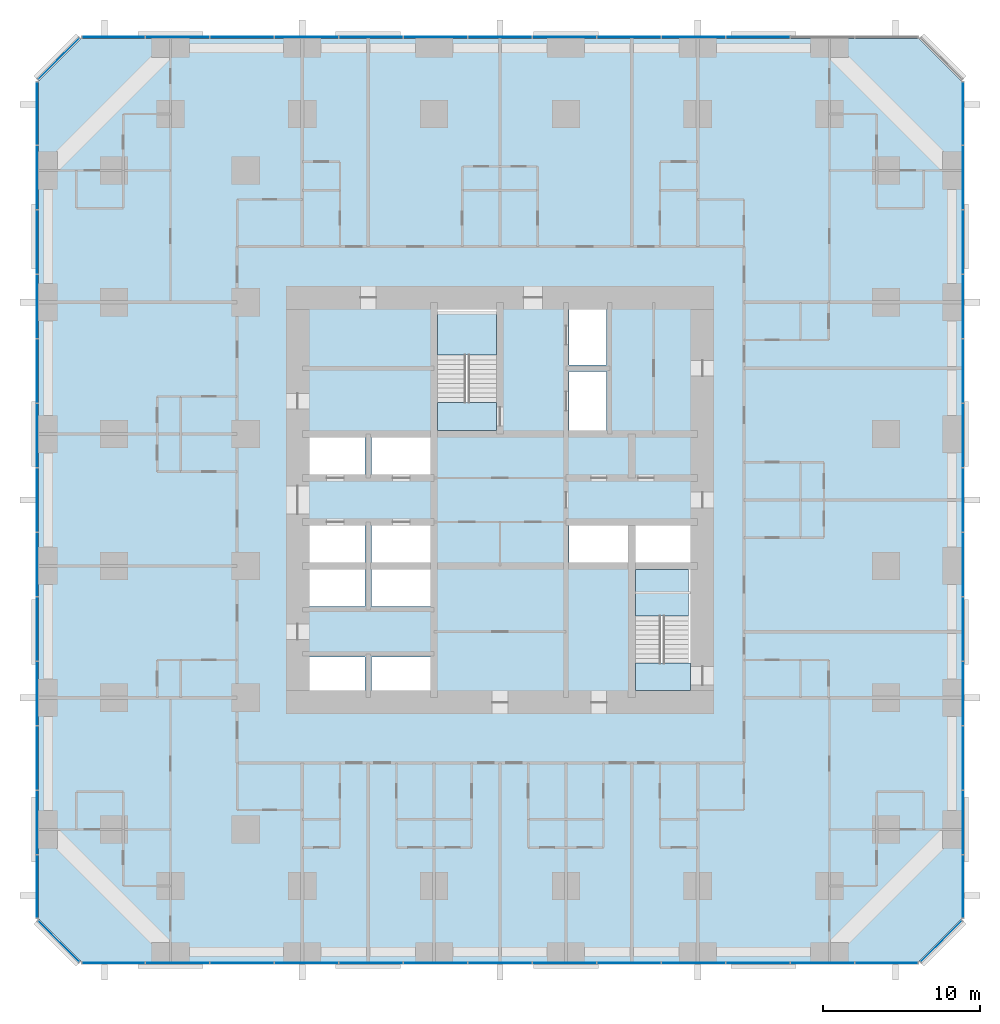
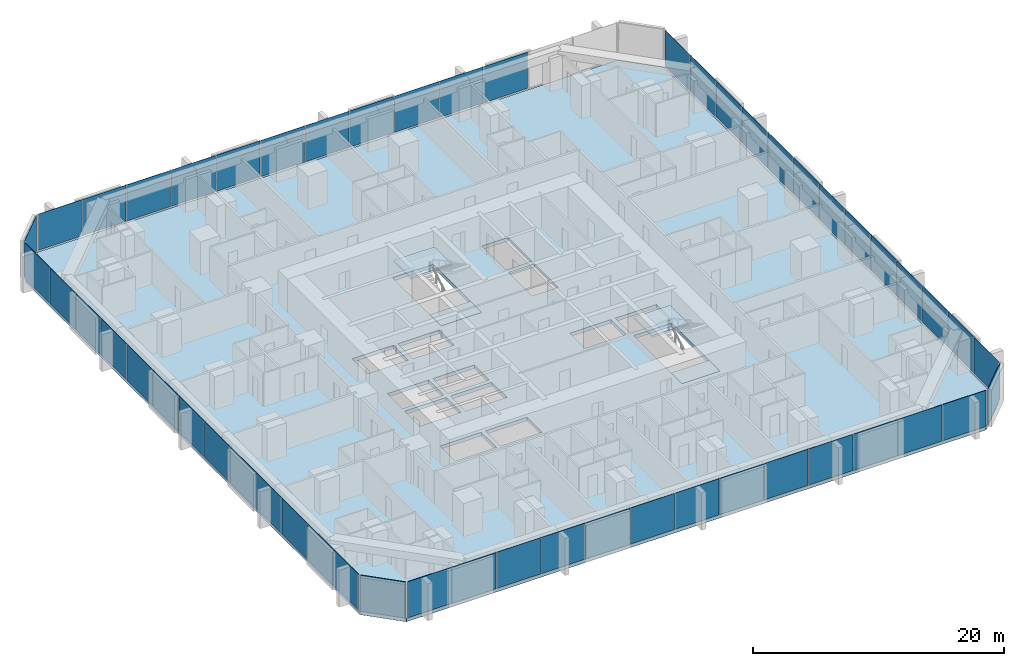
# One storey, part 9 of 17: 53 plates, 5 slabs, 9 elements without a shape of their own.
"""IFC4 building model written with IfcOpenShell, lengths in metres."""

from ifc_helpers import new_model, si_unit, direction, frame, origin, origin_2d, place, context, subcontext, project, spatial, polyline, rectangle, outline, extrude, material, layer, layer_set, type_object, element, aggregate, save


model = new_model("IFC4")

# Units and contexts
model_context = context("Model", 3, precision=1e-05, world=origin(), true_north=direction((0.0, 1.0)))
body_context = subcontext(model_context, "Body", "Model", "MODEL_VIEW")
ifc_project = project(units=[si_unit("LENGTHUNIT", "METRE"), si_unit("AREAUNIT", "SQUARE_METRE"), si_unit("VOLUMEUNIT", "CUBIC_METRE"), si_unit("PLANEANGLEUNIT", "RADIAN"), si_unit("MASSUNIT", "GRAM", prefix="KILO")], contexts=[model_context])

# Site, building, storey
site_placement = place(None, origin())
site = spatial("IfcSite", under=ifc_project, at=site_placement, CompositionType="ELEMENT")
building_placement = place(site_placement, origin())
building = spatial("IfcBuilding", under=site, at=building_placement, Name="Dunama Terrace Hotel", CompositionType="ELEMENT")
storey_placement = place(building_placement, frame((0.0, 0.0, 77.39990234375)))
storey = spatial("IfcBuildingStorey", under=building, at=storey_placement, Name="L19", CompositionType="ELEMENT", Elevation=77.39990234375)

# Curtain wall, plates
ifc_material_1 = material(Name="Aluminium curtain wall system", Category="aluminium")
curtain_wall_type = type_object("IfcCurtainWallType", Name="Unitised fritted glass wall CW-A", PredefinedType="NOTDEFINED", material=ifc_material_1)
curtain_wall_1_placement = place(storey_placement, origin())
curtain_wall_1 = element("IfcCurtainWall", 1, at=curtain_wall_1_placement, inside=storey, type_object=curtain_wall_type, Name="Unitised fritted glass wall CW-A L19", PredefinedType="NOTDEFINED")
ifc_material_2 = material(Name="Laminated glass", Category="glass")
ifc_layer_1 = layer(ifc_material_2, 0.030029296875)
ifc_layer_set_1 = layer_set([ifc_layer_1], Name="CWA clear glass panel")
plate_type_1 = type_object("IfcPlateType", Name="CWA clear glass panel", PredefinedType="CURTAIN_PANEL", material=ifc_layer_set_1)
plate_1_placement = place(storey_placement, frame((12.968994140625, -0.10009765625, 0.0751953125), z_axis=(0.0, 0.0, 1.0), x_axis=(1.0, 0.0, 0.0)))
plate_1 = element("IfcPlate", 2, at=plate_1_placement, type_object=plate_type_1, Name="CWA clear glass panel", PredefinedType="CURTAIN_PANEL", context=body_context, shape_type="SweptSolid", body=[
    extrude(rectangle(XDim=4.042724609375, YDim=0.030029296875, at=origin_2d()), origin(), (0.0, 0.0, 1.0), 3.52490234375),
])
plate_2_placement = place(storey_placement, frame((25.2919921875, -0.10009765625, 0.0751953125), z_axis=(0.0, 0.0, 1.0), x_axis=(1.0, 0.0, 0.0)))
plate_2 = element("IfcPlate", 3, at=plate_2_placement, type_object=plate_type_1, Name="CWA clear glass panel", PredefinedType="CURTAIN_PANEL", context=body_context, shape_type="SweptSolid", body=[
    extrude(rectangle(XDim=4.042724609375, YDim=0.030029296875, at=origin_2d()), origin(), (0.0, 0.0, 1.0), 3.52490234375),
])
plate_3_placement = place(storey_placement, frame((37.614990234375, -0.10009765625, 0.0751953125), z_axis=(0.0, 0.0, 1.0), x_axis=(1.0, 0.0, 0.0)))
plate_3 = element("IfcPlate", 4, at=plate_3_placement, type_object=plate_type_1, Name="CWA clear glass panel", PredefinedType="CURTAIN_PANEL", context=body_context, shape_type="SweptSolid", body=[
    extrude(rectangle(XDim=4.042724609375, YDim=0.030029296875, at=origin_2d()), origin(), (0.0, 0.0, 1.0), 3.52490234375),
])
plate_4_placement = place(storey_placement, frame((49.93798828125, -0.10009765625, 0.0751953125), z_axis=(0.0, 0.0, 1.0), x_axis=(1.0, 0.0, 0.0)))
plate_4 = element("IfcPlate", 5, at=plate_4_placement, type_object=plate_type_1, Name="CWA clear glass panel", PredefinedType="CURTAIN_PANEL", context=body_context, shape_type="SweptSolid", body=[
    extrude(rectangle(XDim=4.042724609375, YDim=0.030029296875, at=origin_2d()), origin(), (0.0, 0.0, 1.0), 3.52490234375),
])

curtain_wall_2_placement = place(storey_placement, origin())
curtain_wall_2 = element("IfcCurtainWall", 6, at=curtain_wall_2_placement, inside=storey, type_object=curtain_wall_type, Name="Unitised fritted glass wall CW-A L19", PredefinedType="NOTDEFINED")
plate_5_placement = place(storey_placement, frame((58.89990234375, 4.77001953125, 0.0751953125), z_axis=(0.0, 0.0, 1.0), x_axis=(0.0, 1.0, 0.0)))
plate_5 = element("IfcPlate", 7, at=plate_5_placement, type_object=plate_type_1, Name="CWA clear glass panel", PredefinedType="CURTAIN_PANEL", context=body_context, shape_type="SweptSolid", body=[
    extrude(rectangle(XDim=4.01025390625, YDim=0.030029296875, at=origin_2d()), origin(), (0.0, 0.0, 1.0), 3.52490234375),
])
plate_6_placement = place(storey_placement, frame((58.89990234375, 17.076904296875, 0.0751953125), z_axis=(0.0, 0.0, 1.0), x_axis=(0.0, 1.0, 0.0)))
plate_6 = element("IfcPlate", 8, at=plate_6_placement, type_object=plate_type_1, Name="CWA clear glass panel", PredefinedType="CURTAIN_PANEL", context=body_context, shape_type="SweptSolid", body=[
    extrude(rectangle(XDim=4.042724609375, YDim=0.030029296875, at=origin_2d()), origin(), (0.0, 0.0, 1.0), 3.52490234375),
])
plate_7_placement = place(storey_placement, frame((58.89990234375, 29.39990234375, 0.0751953125), z_axis=(0.0, 0.0, 1.0), x_axis=(0.0, 1.0, 0.0)))
plate_7 = element("IfcPlate", 9, at=plate_7_placement, type_object=plate_type_1, Name="CWA clear glass panel", PredefinedType="CURTAIN_PANEL", context=body_context, shape_type="SweptSolid", body=[
    extrude(rectangle(XDim=4.042724609375, YDim=0.030029296875, at=origin_2d()), origin(), (0.0, 0.0, 1.0), 3.52490234375),
])
plate_8_placement = place(storey_placement, frame((58.89990234375, 41.722900390625, 0.0751953125), z_axis=(0.0, 0.0, 1.0), x_axis=(0.0, 1.0, 0.0)))
plate_8 = element("IfcPlate", 10, at=plate_8_placement, type_object=plate_type_1, Name="CWA clear glass panel", PredefinedType="CURTAIN_PANEL", context=body_context, shape_type="SweptSolid", body=[
    extrude(rectangle(XDim=4.042724609375, YDim=0.030029296875, at=origin_2d()), origin(), (0.0, 0.0, 1.0), 3.52490234375),
])
plate_9_placement = place(storey_placement, frame((58.89990234375, 54.030029296875, 0.0751953125), z_axis=(0.0, 0.0, 1.0), x_axis=(0.0, 1.0, 0.0)))
plate_9 = element("IfcPlate", 11, at=plate_9_placement, type_object=plate_type_1, Name="CWA clear glass panel", PredefinedType="CURTAIN_PANEL", context=body_context, shape_type="SweptSolid", body=[
    extrude(rectangle(XDim=4.01025390625, YDim=0.030029296875, at=origin_2d()), origin(), (0.0, 0.0, 1.0), 3.52490234375),
])

curtain_wall_3_placement = place(storey_placement, origin())
curtain_wall_3 = element("IfcCurtainWall", 12, at=curtain_wall_3_placement, inside=storey, type_object=curtain_wall_type, Name="Unitised fritted glass wall CW-A L19", PredefinedType="NOTDEFINED")
plate_10_placement = place(storey_placement, frame((37.614990234375, 58.89990234375, 0.0751953125), z_axis=(0.0, 0.0, 1.0), x_axis=(-1.0, 0.0, 0.0)))
plate_10 = element("IfcPlate", 13, at=plate_10_placement, type_object=plate_type_1, Name="CWA clear glass panel", PredefinedType="CURTAIN_PANEL", context=body_context, shape_type="SweptSolid", body=[
    extrude(rectangle(XDim=4.042724609375, YDim=0.030029296875, at=origin_2d()), origin(), (0.0, 0.0, 1.0), 3.52490234375),
])
plate_11_placement = place(storey_placement, frame((25.2919921875, 58.89990234375, 0.0751953125), z_axis=(0.0, 0.0, 1.0), x_axis=(-1.0, 0.0, 0.0)))
plate_11 = element("IfcPlate", 14, at=plate_11_placement, type_object=plate_type_1, Name="CWA clear glass panel", PredefinedType="CURTAIN_PANEL", context=body_context, shape_type="SweptSolid", body=[
    extrude(rectangle(XDim=4.042724609375, YDim=0.030029296875, at=origin_2d()), origin(), (0.0, 0.0, 1.0), 3.52490234375),
])
plate_12_placement = place(storey_placement, frame((12.968994140625, 58.89990234375, 0.0751953125), z_axis=(0.0, 0.0, 1.0), x_axis=(-1.0, 0.0, 0.0)))
plate_12 = element("IfcPlate", 15, at=plate_12_placement, type_object=plate_type_1, Name="CWA clear glass panel", PredefinedType="CURTAIN_PANEL", context=body_context, shape_type="SweptSolid", body=[
    extrude(rectangle(XDim=4.042724609375, YDim=0.030029296875, at=origin_2d()), origin(), (0.0, 0.0, 1.0), 3.52490234375),
])

# Curtain wall, plate
curtain_wall_4_placement = place(storey_placement, origin())
curtain_wall_4 = element("IfcCurtainWall", 16, at=curtain_wall_4_placement, inside=storey, type_object=curtain_wall_type, Name="Unitised fritted glass wall CW-A L19", PredefinedType="NOTDEFINED")
plate_13_placement = place(storey_placement, frame((1.279052734375, 57.52099609375, 0.0751953125), z_axis=(0.0, 0.0, 1.0), x_axis=(-0.707106781187, -0.707106781187, 0.0)))
plate_13 = element("IfcPlate", 17, at=plate_13_placement, type_object=plate_type_1, Name="CWA clear glass panel", PredefinedType="CURTAIN_PANEL", context=body_context, shape_type="SweptSolid", body=[
    extrude(rectangle(XDim=3.6884765625, YDim=0.030029296875, at=origin_2d()), origin(), (0.0, 0.0, 1.0), 3.52490234375),
])
aggregate(curtain_wall_4, [plate_13])

# Curtain wall, plates
curtain_wall_5_placement = place(storey_placement, origin())
curtain_wall_5 = element("IfcCurtainWall", 18, at=curtain_wall_5_placement, inside=storey, type_object=curtain_wall_type, Name="Unitised fritted glass wall CW-A L19", PredefinedType="NOTDEFINED")
plate_14_placement = place(storey_placement, frame((-0.10009765625, 45.8310546875, 0.0751953125), z_axis=(0.0, 0.0, 1.0), x_axis=(0.0, -1.0, 0.0)))
plate_14 = element("IfcPlate", 19, at=plate_14_placement, type_object=plate_type_1, Name="CWA clear glass panel", PredefinedType="CURTAIN_PANEL", context=body_context, shape_type="SweptSolid", body=[
    extrude(rectangle(XDim=4.042724609375, YDim=0.030029296875, at=origin_2d()), origin(), (0.0, 0.0, 1.0), 3.52490234375),
])
plate_15_placement = place(storey_placement, frame((-0.10009765625, 33.508056640625, 0.0751953125), z_axis=(0.0, 0.0, 1.0), x_axis=(0.0, -1.0, 0.0)))
plate_15 = element("IfcPlate", 20, at=plate_15_placement, type_object=plate_type_1, Name="CWA clear glass panel", PredefinedType="CURTAIN_PANEL", context=body_context, shape_type="SweptSolid", body=[
    extrude(rectangle(XDim=4.042724609375, YDim=0.030029296875, at=origin_2d()), origin(), (0.0, 0.0, 1.0), 3.52490234375),
])
plate_16_placement = place(storey_placement, frame((-0.10009765625, 21.18505859375, 0.0751953125), z_axis=(0.0, 0.0, 1.0), x_axis=(0.0, -1.0, 0.0)))
plate_16 = element("IfcPlate", 21, at=plate_16_placement, type_object=plate_type_1, Name="CWA clear glass panel", PredefinedType="CURTAIN_PANEL", context=body_context, shape_type="SweptSolid", body=[
    extrude(rectangle(XDim=4.042724609375, YDim=0.030029296875, at=origin_2d()), origin(), (0.0, 0.0, 1.0), 3.52490234375),
])
plate_17_placement = place(storey_placement, frame((-0.10009765625, 8.862060546875, 0.0751953125), z_axis=(0.0, 0.0, 1.0), x_axis=(0.0, -1.0, 0.0)))
plate_17 = element("IfcPlate", 22, at=plate_17_placement, type_object=plate_type_1, Name="CWA clear glass panel", PredefinedType="CURTAIN_PANEL", context=body_context, shape_type="SweptSolid", body=[
    extrude(rectangle(XDim=4.042724609375, YDim=0.030029296875, at=origin_2d()), origin(), (0.0, 0.0, 1.0), 3.52490234375),
])

# Plate
ifc_material_3 = material(Name="Fritted laminated glass", Category="glass")
ifc_layer_2 = layer(ifc_material_3, 0.030029296875)
ifc_layer_set_2 = layer_set([ifc_layer_2], Name="CWA fritted glass panel")
plate_type_2 = type_object("IfcPlateType", Name="CWA fritted glass panel", PredefinedType="CURTAIN_PANEL", material=ifc_layer_set_2)
plate_18_placement = place(storey_placement, frame((8.862060546875, -0.10009765625, 0.0751953125), z_axis=(0.0, 0.0, 1.0), x_axis=(1.0, 0.0, 0.0)))
plate_18 = element("IfcPlate", 23, at=plate_18_placement, type_object=plate_type_2, Name="CWA fritted glass panel", PredefinedType="CURTAIN_PANEL", context=body_context, shape_type="SweptSolid", body=[
    extrude(rectangle(XDim=4.042724609375, YDim=0.030029296875, at=origin_2d()), origin(), (0.0, 0.0, 1.0), 3.52490234375),
])

plate_19_placement = place(storey_placement, frame((21.18505859375, -0.10009765625, 0.0751953125), z_axis=(0.0, 0.0, 1.0), x_axis=(1.0, 0.0, 0.0)))
plate_19 = element("IfcPlate", 24, at=plate_19_placement, type_object=plate_type_2, Name="CWA fritted glass panel", PredefinedType="CURTAIN_PANEL", context=body_context, shape_type="SweptSolid", body=[
    extrude(rectangle(XDim=4.042724609375, YDim=0.030029296875, at=origin_2d()), origin(), (0.0, 0.0, 1.0), 3.52490234375),
])

plate_20_placement = place(storey_placement, frame((33.508056640625, -0.10009765625, 0.0751953125), z_axis=(0.0, 0.0, 1.0), x_axis=(1.0, 0.0, 0.0)))
plate_20 = element("IfcPlate", 25, at=plate_20_placement, type_object=plate_type_2, Name="CWA fritted glass panel", PredefinedType="CURTAIN_PANEL", context=body_context, shape_type="SweptSolid", body=[
    extrude(rectangle(XDim=4.042724609375, YDim=0.030029296875, at=origin_2d()), origin(), (0.0, 0.0, 1.0), 3.52490234375),
])

plate_21_placement = place(storey_placement, frame((45.8310546875, -0.10009765625, 0.0751953125), z_axis=(0.0, 0.0, 1.0), x_axis=(1.0, 0.0, 0.0)))
plate_21 = element("IfcPlate", 26, at=plate_21_placement, type_object=plate_type_2, Name="CWA fritted glass panel", PredefinedType="CURTAIN_PANEL", context=body_context, shape_type="SweptSolid", body=[
    extrude(rectangle(XDim=4.042724609375, YDim=0.030029296875, at=origin_2d()), origin(), (0.0, 0.0, 1.0), 3.52490234375),
])

# Curtain wall, plate
curtain_wall_6_placement = place(storey_placement, origin())
curtain_wall_6 = element("IfcCurtainWall", 27, at=curtain_wall_6_placement, inside=storey, type_object=curtain_wall_type, Name="Unitised fritted glass wall CW-A L19", PredefinedType="NOTDEFINED")
plate_22_placement = place(storey_placement, frame((57.52099609375, 1.279052734375, 0.0751953125), z_axis=(0.0, 0.0, 1.0), x_axis=(0.707106781187, 0.707106781187, 0.0)))
plate_22 = element("IfcPlate", 28, at=plate_22_placement, type_object=plate_type_2, Name="CWA fritted glass panel", PredefinedType="CURTAIN_PANEL", context=body_context, shape_type="SweptSolid", body=[
    extrude(rectangle(XDim=3.6884765625, YDim=0.030029296875, at=origin_2d()), origin(), (0.0, 0.0, 1.0), 3.52490234375),
])
aggregate(curtain_wall_6, [plate_22])

# Plate
plate_23_placement = place(storey_placement, frame((58.89990234375, 12.968994140625, 0.0751953125), z_axis=(0.0, 0.0, 1.0), x_axis=(0.0, 1.0, 0.0)))
plate_23 = element("IfcPlate", 29, at=plate_23_placement, type_object=plate_type_2, Name="CWA fritted glass panel", PredefinedType="CURTAIN_PANEL", context=body_context, shape_type="SweptSolid", body=[
    extrude(rectangle(XDim=4.042724609375, YDim=0.030029296875, at=origin_2d()), origin(), (0.0, 0.0, 1.0), 3.52490234375),
])

plate_24_placement = place(storey_placement, frame((58.89990234375, 25.2919921875, 0.0751953125), z_axis=(0.0, 0.0, 1.0), x_axis=(0.0, 1.0, 0.0)))
plate_24 = element("IfcPlate", 30, at=plate_24_placement, type_object=plate_type_2, Name="CWA fritted glass panel", PredefinedType="CURTAIN_PANEL", context=body_context, shape_type="SweptSolid", body=[
    extrude(rectangle(XDim=4.042724609375, YDim=0.030029296875, at=origin_2d()), origin(), (0.0, 0.0, 1.0), 3.52490234375),
])

plate_25_placement = place(storey_placement, frame((58.89990234375, 37.614990234375, 0.0751953125), z_axis=(0.0, 0.0, 1.0), x_axis=(0.0, 1.0, 0.0)))
plate_25 = element("IfcPlate", 31, at=plate_25_placement, type_object=plate_type_2, Name="CWA fritted glass panel", PredefinedType="CURTAIN_PANEL", context=body_context, shape_type="SweptSolid", body=[
    extrude(rectangle(XDim=4.042724609375, YDim=0.030029296875, at=origin_2d()), origin(), (0.0, 0.0, 1.0), 3.52490234375),
])

plate_26_placement = place(storey_placement, frame((58.89990234375, 49.93798828125, 0.0751953125), z_axis=(0.0, 0.0, 1.0), x_axis=(0.0, 1.0, 0.0)))
plate_26 = element("IfcPlate", 32, at=plate_26_placement, type_object=plate_type_2, Name="CWA fritted glass panel", PredefinedType="CURTAIN_PANEL", context=body_context, shape_type="SweptSolid", body=[
    extrude(rectangle(XDim=4.042724609375, YDim=0.030029296875, at=origin_2d()), origin(), (0.0, 0.0, 1.0), 3.52490234375),
])

plate_27_placement = place(storey_placement, frame((41.722900390625, 58.89990234375, 0.0751953125), z_axis=(0.0, 0.0, 1.0), x_axis=(-1.0, 0.0, 0.0)))
plate_27 = element("IfcPlate", 33, at=plate_27_placement, type_object=plate_type_2, Name="CWA fritted glass panel", PredefinedType="CURTAIN_PANEL", context=body_context, shape_type="SweptSolid", body=[
    extrude(rectangle(XDim=4.042724609375, YDim=0.030029296875, at=origin_2d()), origin(), (0.0, 0.0, 1.0), 3.52490234375),
])

plate_28_placement = place(storey_placement, frame((29.39990234375, 58.89990234375, 0.0751953125), z_axis=(0.0, 0.0, 1.0), x_axis=(-1.0, 0.0, 0.0)))
plate_28 = element("IfcPlate", 34, at=plate_28_placement, type_object=plate_type_2, Name="CWA fritted glass panel", PredefinedType="CURTAIN_PANEL", context=body_context, shape_type="SweptSolid", body=[
    extrude(rectangle(XDim=4.042724609375, YDim=0.030029296875, at=origin_2d()), origin(), (0.0, 0.0, 1.0), 3.52490234375),
])

plate_29_placement = place(storey_placement, frame((17.076904296875, 58.89990234375, 0.0751953125), z_axis=(0.0, 0.0, 1.0), x_axis=(-1.0, 0.0, 0.0)))
plate_29 = element("IfcPlate", 35, at=plate_29_placement, type_object=plate_type_2, Name="CWA fritted glass panel", PredefinedType="CURTAIN_PANEL", context=body_context, shape_type="SweptSolid", body=[
    extrude(rectangle(XDim=4.042724609375, YDim=0.030029296875, at=origin_2d()), origin(), (0.0, 0.0, 1.0), 3.52490234375),
])

plate_30_placement = place(storey_placement, frame((4.77001953125, 58.89990234375, 0.0751953125), z_axis=(0.0, 0.0, 1.0), x_axis=(-1.0, 0.0, 0.0)))
plate_30 = element("IfcPlate", 36, at=plate_30_placement, type_object=plate_type_2, Name="CWA fritted glass panel", PredefinedType="CURTAIN_PANEL", context=body_context, shape_type="SweptSolid", body=[
    extrude(rectangle(XDim=4.01025390625, YDim=0.030029296875, at=origin_2d()), origin(), (0.0, 0.0, 1.0), 3.52490234375),
])

plate_31_placement = place(storey_placement, frame((-0.10009765625, 49.93798828125, 0.0751953125), z_axis=(0.0, 0.0, 1.0), x_axis=(0.0, -1.0, 0.0)))
plate_31 = element("IfcPlate", 37, at=plate_31_placement, type_object=plate_type_2, Name="CWA fritted glass panel", PredefinedType="CURTAIN_PANEL", context=body_context, shape_type="SweptSolid", body=[
    extrude(rectangle(XDim=4.042724609375, YDim=0.030029296875, at=origin_2d()), origin(), (0.0, 0.0, 1.0), 3.52490234375),
])

plate_32_placement = place(storey_placement, frame((-0.10009765625, 37.614990234375, 0.0751953125), z_axis=(0.0, 0.0, 1.0), x_axis=(0.0, -1.0, 0.0)))
plate_32 = element("IfcPlate", 38, at=plate_32_placement, type_object=plate_type_2, Name="CWA fritted glass panel", PredefinedType="CURTAIN_PANEL", context=body_context, shape_type="SweptSolid", body=[
    extrude(rectangle(XDim=4.042724609375, YDim=0.030029296875, at=origin_2d()), origin(), (0.0, 0.0, 1.0), 3.52490234375),
])

plate_33_placement = place(storey_placement, frame((-0.10009765625, 25.2919921875, 0.0751953125), z_axis=(0.0, 0.0, 1.0), x_axis=(0.0, -1.0, 0.0)))
plate_33 = element("IfcPlate", 39, at=plate_33_placement, type_object=plate_type_2, Name="CWA fritted glass panel", PredefinedType="CURTAIN_PANEL", context=body_context, shape_type="SweptSolid", body=[
    extrude(rectangle(XDim=4.042724609375, YDim=0.030029296875, at=origin_2d()), origin(), (0.0, 0.0, 1.0), 3.52490234375),
])

plate_34_placement = place(storey_placement, frame((-0.10009765625, 12.968994140625, 0.0751953125), z_axis=(0.0, 0.0, 1.0), x_axis=(0.0, -1.0, 0.0)))
plate_34 = element("IfcPlate", 40, at=plate_34_placement, type_object=plate_type_2, Name="CWA fritted glass panel", PredefinedType="CURTAIN_PANEL", context=body_context, shape_type="SweptSolid", body=[
    extrude(rectangle(XDim=4.042724609375, YDim=0.030029296875, at=origin_2d()), origin(), (0.0, 0.0, 1.0), 3.52490234375),
])

# Curtain wall, plate
curtain_wall_7_placement = place(storey_placement, origin())
curtain_wall_7 = element("IfcCurtainWall", 41, at=curtain_wall_7_placement, inside=storey, type_object=curtain_wall_type, Name="Unitised fritted glass wall CW-A L19", PredefinedType="NOTDEFINED")
plate_35_placement = place(storey_placement, frame((1.279052734375, 1.279052734375, 0.0751953125), z_axis=(0.0, 0.0, 1.0), x_axis=(0.707106781187, -0.707106781187, 0.0)))
plate_35 = element("IfcPlate", 42, at=plate_35_placement, type_object=plate_type_2, Name="CWA fritted glass panel", PredefinedType="CURTAIN_PANEL", context=body_context, shape_type="SweptSolid", body=[
    extrude(rectangle(XDim=3.6884765625, YDim=0.030029296875, at=origin_2d()), origin(), (0.0, 0.0, 1.0), 3.52490234375),
])
aggregate(curtain_wall_7, [plate_35])

# Plate
ifc_material_4 = material(Name="Laminated glass", Category="glass")
ifc_layer_3 = layer(ifc_material_4, 0.030029296875)
ifc_layer_set_3 = layer_set([ifc_layer_3], Name="CWA operable glass panel")
plate_type_3 = type_object("IfcPlateType", Name="CWA operable glass panel", PredefinedType="CURTAIN_PANEL", material=ifc_layer_set_3)
plate_36_placement = place(storey_placement, frame((4.77001953125, -0.10009765625, 0.0751953125), z_axis=(0.0, 0.0, 1.0), x_axis=(1.0, 0.0, 0.0)))
plate_36 = element("IfcPlate", 43, at=plate_36_placement, type_object=plate_type_3, Name="CWA operable glass panel", PredefinedType="CURTAIN_PANEL", context=body_context, shape_type="SweptSolid", body=[
    extrude(rectangle(XDim=4.01025390625, YDim=0.030029296875, at=origin_2d()), origin(), (0.0, 0.0, 1.0), 3.52490234375),
])

plate_37_placement = place(storey_placement, frame((17.076904296875, -0.10009765625, 0.0751953125), z_axis=(0.0, 0.0, 1.0), x_axis=(1.0, 0.0, 0.0)))
plate_37 = element("IfcPlate", 44, at=plate_37_placement, type_object=plate_type_3, Name="CWA operable glass panel", PredefinedType="CURTAIN_PANEL", context=body_context, shape_type="SweptSolid", body=[
    extrude(rectangle(XDim=4.042724609375, YDim=0.030029296875, at=origin_2d()), origin(), (0.0, 0.0, 1.0), 3.52490234375),
])

plate_38_placement = place(storey_placement, frame((29.39990234375, -0.10009765625, 0.0751953125), z_axis=(0.0, 0.0, 1.0), x_axis=(1.0, 0.0, 0.0)))
plate_38 = element("IfcPlate", 45, at=plate_38_placement, type_object=plate_type_3, Name="CWA operable glass panel", PredefinedType="CURTAIN_PANEL", context=body_context, shape_type="SweptSolid", body=[
    extrude(rectangle(XDim=4.042724609375, YDim=0.030029296875, at=origin_2d()), origin(), (0.0, 0.0, 1.0), 3.52490234375),
])

plate_39_placement = place(storey_placement, frame((41.722900390625, -0.10009765625, 0.0751953125), z_axis=(0.0, 0.0, 1.0), x_axis=(1.0, 0.0, 0.0)))
plate_39 = element("IfcPlate", 46, at=plate_39_placement, type_object=plate_type_3, Name="CWA operable glass panel", PredefinedType="CURTAIN_PANEL", context=body_context, shape_type="SweptSolid", body=[
    extrude(rectangle(XDim=4.042724609375, YDim=0.030029296875, at=origin_2d()), origin(), (0.0, 0.0, 1.0), 3.52490234375),
])

plate_40_placement = place(storey_placement, frame((54.030029296875, -0.10009765625, 0.0751953125), z_axis=(0.0, 0.0, 1.0), x_axis=(1.0, 0.0, 0.0)))
plate_40 = element("IfcPlate", 47, at=plate_40_placement, type_object=plate_type_3, Name="CWA operable glass panel", PredefinedType="CURTAIN_PANEL", context=body_context, shape_type="SweptSolid", body=[
    extrude(rectangle(XDim=4.01025390625, YDim=0.030029296875, at=origin_2d()), origin(), (0.0, 0.0, 1.0), 3.52490234375),
])

aggregate(curtain_wall_1, [plate_36, plate_18, plate_1, plate_37, plate_19, plate_2, plate_38, plate_20, plate_3, plate_39, plate_21, plate_4, plate_40])

plate_41_placement = place(storey_placement, frame((58.89990234375, 8.862060546875, 0.0751953125), z_axis=(0.0, 0.0, 1.0), x_axis=(0.0, 1.0, 0.0)))
plate_41 = element("IfcPlate", 48, at=plate_41_placement, type_object=plate_type_3, Name="CWA operable glass panel", PredefinedType="CURTAIN_PANEL", context=body_context, shape_type="SweptSolid", body=[
    extrude(rectangle(XDim=4.042724609375, YDim=0.030029296875, at=origin_2d()), origin(), (0.0, 0.0, 1.0), 3.52490234375),
])

plate_42_placement = place(storey_placement, frame((58.89990234375, 21.18505859375, 0.0751953125), z_axis=(0.0, 0.0, 1.0), x_axis=(0.0, 1.0, 0.0)))
plate_42 = element("IfcPlate", 49, at=plate_42_placement, type_object=plate_type_3, Name="CWA operable glass panel", PredefinedType="CURTAIN_PANEL", context=body_context, shape_type="SweptSolid", body=[
    extrude(rectangle(XDim=4.042724609375, YDim=0.030029296875, at=origin_2d()), origin(), (0.0, 0.0, 1.0), 3.52490234375),
])

plate_43_placement = place(storey_placement, frame((58.89990234375, 33.508056640625, 0.0751953125), z_axis=(0.0, 0.0, 1.0), x_axis=(0.0, 1.0, 0.0)))
plate_43 = element("IfcPlate", 50, at=plate_43_placement, type_object=plate_type_3, Name="CWA operable glass panel", PredefinedType="CURTAIN_PANEL", context=body_context, shape_type="SweptSolid", body=[
    extrude(rectangle(XDim=4.042724609375, YDim=0.030029296875, at=origin_2d()), origin(), (0.0, 0.0, 1.0), 3.52490234375),
])

plate_44_placement = place(storey_placement, frame((58.89990234375, 45.8310546875, 0.0751953125), z_axis=(0.0, 0.0, 1.0), x_axis=(0.0, 1.0, 0.0)))
plate_44 = element("IfcPlate", 51, at=plate_44_placement, type_object=plate_type_3, Name="CWA operable glass panel", PredefinedType="CURTAIN_PANEL", context=body_context, shape_type="SweptSolid", body=[
    extrude(rectangle(XDim=4.042724609375, YDim=0.030029296875, at=origin_2d()), origin(), (0.0, 0.0, 1.0), 3.52490234375),
])

aggregate(curtain_wall_2, [plate_5, plate_41, plate_23, plate_6, plate_42, plate_24, plate_7, plate_43, plate_25, plate_8, plate_44, plate_26, plate_9])

plate_45_placement = place(storey_placement, frame((45.8310546875, 58.89990234375, 0.0751953125), z_axis=(0.0, 0.0, 1.0), x_axis=(-1.0, 0.0, 0.0)))
plate_45 = element("IfcPlate", 52, at=plate_45_placement, type_object=plate_type_3, Name="CWA operable glass panel", PredefinedType="CURTAIN_PANEL", context=body_context, shape_type="SweptSolid", body=[
    extrude(rectangle(XDim=4.042724609375, YDim=0.030029296875, at=origin_2d()), origin(), (0.0, 0.0, 1.0), 3.52490234375),
])

plate_46_placement = place(storey_placement, frame((33.508056640625, 58.89990234375, 0.0751953125), z_axis=(0.0, 0.0, 1.0), x_axis=(-1.0, 0.0, 0.0)))
plate_46 = element("IfcPlate", 53, at=plate_46_placement, type_object=plate_type_3, Name="CWA operable glass panel", PredefinedType="CURTAIN_PANEL", context=body_context, shape_type="SweptSolid", body=[
    extrude(rectangle(XDim=4.042724609375, YDim=0.030029296875, at=origin_2d()), origin(), (0.0, 0.0, 1.0), 3.52490234375),
])

plate_47_placement = place(storey_placement, frame((21.18505859375, 58.89990234375, 0.0751953125), z_axis=(0.0, 0.0, 1.0), x_axis=(-1.0, 0.0, 0.0)))
plate_47 = element("IfcPlate", 54, at=plate_47_placement, type_object=plate_type_3, Name="CWA operable glass panel", PredefinedType="CURTAIN_PANEL", context=body_context, shape_type="SweptSolid", body=[
    extrude(rectangle(XDim=4.042724609375, YDim=0.030029296875, at=origin_2d()), origin(), (0.0, 0.0, 1.0), 3.52490234375),
])

plate_48_placement = place(storey_placement, frame((8.862060546875, 58.89990234375, 0.0751953125), z_axis=(0.0, 0.0, 1.0), x_axis=(-1.0, 0.0, 0.0)))
plate_48 = element("IfcPlate", 55, at=plate_48_placement, type_object=plate_type_3, Name="CWA operable glass panel", PredefinedType="CURTAIN_PANEL", context=body_context, shape_type="SweptSolid", body=[
    extrude(rectangle(XDim=4.042724609375, YDim=0.030029296875, at=origin_2d()), origin(), (0.0, 0.0, 1.0), 3.52490234375),
])

aggregate(curtain_wall_3, [plate_45, plate_27, plate_10, plate_46, plate_28, plate_11, plate_47, plate_29, plate_12, plate_48, plate_30])

plate_49_placement = place(storey_placement, frame((-0.10009765625, 54.030029296875, 0.0751953125), z_axis=(0.0, 0.0, 1.0), x_axis=(0.0, -1.0, 0.0)))
plate_49 = element("IfcPlate", 56, at=plate_49_placement, type_object=plate_type_3, Name="CWA operable glass panel", PredefinedType="CURTAIN_PANEL", context=body_context, shape_type="SweptSolid", body=[
    extrude(rectangle(XDim=4.01025390625, YDim=0.030029296875, at=origin_2d()), origin(), (0.0, 0.0, 1.0), 3.52490234375),
])

plate_50_placement = place(storey_placement, frame((-0.10009765625, 41.722900390625, 0.0751953125), z_axis=(0.0, 0.0, 1.0), x_axis=(0.0, -1.0, 0.0)))
plate_50 = element("IfcPlate", 57, at=plate_50_placement, type_object=plate_type_3, Name="CWA operable glass panel", PredefinedType="CURTAIN_PANEL", context=body_context, shape_type="SweptSolid", body=[
    extrude(rectangle(XDim=4.042724609375, YDim=0.030029296875, at=origin_2d()), origin(), (0.0, 0.0, 1.0), 3.52490234375),
])

plate_51_placement = place(storey_placement, frame((-0.10009765625, 29.39990234375, 0.0751953125), z_axis=(0.0, 0.0, 1.0), x_axis=(0.0, -1.0, 0.0)))
plate_51 = element("IfcPlate", 58, at=plate_51_placement, type_object=plate_type_3, Name="CWA operable glass panel", PredefinedType="CURTAIN_PANEL", context=body_context, shape_type="SweptSolid", body=[
    extrude(rectangle(XDim=4.042724609375, YDim=0.030029296875, at=origin_2d()), origin(), (0.0, 0.0, 1.0), 3.52490234375),
])

plate_52_placement = place(storey_placement, frame((-0.10009765625, 17.076904296875, 0.0751953125), z_axis=(0.0, 0.0, 1.0), x_axis=(0.0, -1.0, 0.0)))
plate_52 = element("IfcPlate", 59, at=plate_52_placement, type_object=plate_type_3, Name="CWA operable glass panel", PredefinedType="CURTAIN_PANEL", context=body_context, shape_type="SweptSolid", body=[
    extrude(rectangle(XDim=4.042724609375, YDim=0.030029296875, at=origin_2d()), origin(), (0.0, 0.0, 1.0), 3.52490234375),
])

plate_53_placement = place(storey_placement, frame((-0.10009765625, 4.77001953125, 0.0751953125), z_axis=(0.0, 0.0, 1.0), x_axis=(0.0, -1.0, 0.0)))
plate_53 = element("IfcPlate", 60, at=plate_53_placement, type_object=plate_type_3, Name="CWA operable glass panel", PredefinedType="CURTAIN_PANEL", context=body_context, shape_type="SweptSolid", body=[
    extrude(rectangle(XDim=4.01025390625, YDim=0.030029296875, at=origin_2d()), origin(), (0.0, 0.0, 1.0), 3.52490234375),
])

aggregate(curtain_wall_5, [plate_49, plate_31, plate_14, plate_50, plate_32, plate_15, plate_51, plate_33, plate_16, plate_52, plate_34, plate_17, plate_53])

# Slab
ifc_material_5 = material(Name="Concrete C40/50", Category="concrete")
ifc_layer_4 = layer(ifc_material_5, 0.35009765625)
ifc_layer_set_4 = layer_set([ifc_layer_4], Name="Flat plate 350")
slab_type_1 = type_object("IfcSlabType", Name="Flat plate 350", PredefinedType="FLOOR", material=ifc_layer_set_4)
slab_1_placement = place(storey_placement, frame((0.0, 0.0, -0.349853515625)))
element("IfcSlab", 61, at=slab_1_placement, inside=storey, type_object=slab_type_1, Name="Floor slab L19", PredefinedType="FLOOR", context=body_context, shape_type="SweptSolid", body=[
    extrude(outline(polyline([(2.699951171875, 0.0), (56.10009765625, 0.0), (58.800048828125, 2.699951171875), (58.800048828125, 56.10009765625), (56.10009765625, 58.800048828125), (2.699951171875, 58.800048828125), (0.0, 56.10009765625), (0.0, 2.699951171875), (2.699951171875, 0.0)]), holes=[polyline([(20.800048828125, 25.39990234375), (20.800048828125, 27.800048828125), (17.0, 27.800048828125), (17.0, 25.39990234375), (20.800048828125, 25.39990234375)]), polyline([(25.0, 25.39990234375), (25.0, 27.800048828125), (21.199951171875, 27.800048828125), (21.199951171875, 25.39990234375), (25.0, 25.39990234375)]), polyline([(20.800048828125, 31.0), (20.800048828125, 33.39990234375), (17.0, 33.39990234375), (17.0, 31.0), (20.800048828125, 31.0)]), polyline([(25.0, 31.0), (25.0, 33.39990234375), (21.199951171875, 33.39990234375), (21.199951171875, 31.0), (25.0, 31.0)]), polyline([(37.60009765625, 25.39990234375), (37.60009765625, 27.800048828125), (33.800048828125, 27.800048828125), (33.800048828125, 25.39990234375), (37.60009765625, 25.39990234375)]), polyline([(41.800048828125, 25.39990234375), (41.800048828125, 27.800048828125), (38.0, 27.800048828125), (38.0, 25.39990234375), (41.800048828125, 25.39990234375)]), polyline([(20.800048828125, 17.0), (20.800048828125, 19.39990234375), (17.0, 19.39990234375), (17.0, 17.0), (20.800048828125, 17.0)]), polyline([(25.0, 17.0), (25.0, 19.39990234375), (21.199951171875, 19.39990234375), (21.199951171875, 17.0), (25.0, 17.0)]), polyline([(20.800048828125, 22.60009765625), (20.800048828125, 25.0), (17.0, 25.0), (17.0, 22.60009765625), (20.800048828125, 22.60009765625)]), polyline([(25.0, 22.60009765625), (25.0, 25.0), (21.199951171875, 25.0), (21.199951171875, 22.60009765625), (25.0, 22.60009765625)]), polyline([(36.199951171875, 38.0), (36.199951171875, 41.800048828125), (33.800048828125, 41.800048828125), (33.800048828125, 38.0), (36.199951171875, 38.0)]), polyline([(36.199951171875, 33.800048828125), (36.199951171875, 37.60009765625), (33.800048828125, 37.60009765625), (33.800048828125, 33.800048828125), (36.199951171875, 33.800048828125)]), polyline([(29.175048828125, 33.824951171875), (29.175048828125, 41.550048828125), (25.425048828125, 41.550048828125), (25.425048828125, 33.824951171875), (29.175048828125, 33.824951171875)]), polyline([(41.550048828125, 17.25), (41.550048828125, 24.97509765625), (38.050048828125, 24.97509765625), (38.050048828125, 17.25), (41.550048828125, 17.25)])]), origin(), (0.0, 0.0, 1.0), 0.349853515625),
])

# Stair, slabs
ifc_material_6 = material(Name="Concrete C40/50", Category="concrete")
stair_type_1 = type_object("IfcStairType", Name="Stair ST1-3600-1800", PredefinedType="HALF_TURN_STAIR", material=ifc_material_6)
stair_1_placement = place(storey_placement, origin())
stair_1 = element("IfcStair", 62, at=stair_1_placement, inside=storey, type_object=stair_type_1, Name="Stair ST1 L19", PredefinedType="HALF_TURN_STAIR")
ifc_material_7 = material(Name="Concrete C40/50", Category="concrete")
ifc_layer_5 = layer(ifc_material_7, 0.199951171875)
ifc_layer_set_5 = layer_set([ifc_layer_5], Name="Stair landing 200")
slab_type_2 = type_object("IfcSlabType", Name="Stair landing 200", PredefinedType="LANDING", material=ifc_layer_set_5)
slab_2_placement = place(storey_placement, frame((0.0, 0.0, -0.199951171875)))
slab_2 = element("IfcSlab", 63, at=slab_2_placement, type_object=slab_type_2, Name="ST1 landing 1, type S10", PredefinedType="LANDING", context=body_context, shape_type="SweptSolid", body=[
    extrude(outline(polyline([(25.425048828125, 33.824951171875), (29.175048828125, 33.824951171875), (29.175048828125, 35.625), (25.425048828125, 35.625), (25.425048828125, 33.824951171875)])), origin(), (0.0, 0.0, 1.0), 0.199951171875),
])
slab_3_placement = place(storey_placement, frame((0.0, 0.0, 1.60009765625)))
slab_3 = element("IfcSlab", 64, at=slab_3_placement, type_object=slab_type_2, Name="ST1 landing 2, type S10", PredefinedType="LANDING", context=body_context, shape_type="SweptSolid", body=[
    extrude(outline(polyline([(25.425048828125, 38.625), (29.175048828125, 38.625), (29.175048828125, 41.39990234375), (25.425048828125, 41.39990234375), (25.425048828125, 38.625)])), origin(), (0.0, 0.0, 1.0), 0.199951171875),
])
aggregate(stair_1, [slab_2, slab_3])

ifc_material_8 = material(Name="Concrete C40/50", Category="concrete")
stair_type_2 = type_object("IfcStairType", Name="Stair ST2-3600-1600", PredefinedType="HALF_TURN_STAIR", material=ifc_material_8)
stair_2_placement = place(storey_placement, origin())
stair_2 = element("IfcStair", 65, at=stair_2_placement, inside=storey, type_object=stair_type_2, Name="Stair ST2 L19", PredefinedType="HALF_TURN_STAIR")
slab_4_placement = place(storey_placement, frame((0.0, 0.0, -0.199951171875)))
slab_4 = element("IfcSlab", 66, at=slab_4_placement, type_object=slab_type_2, Name="ST2 landing 1, type S10", PredefinedType="LANDING", context=body_context, shape_type="SweptSolid", body=[
    extrude(outline(polyline([(38.050048828125, 17.25), (41.550048828125, 17.25), (41.550048828125, 19.0), (38.050048828125, 19.0), (38.050048828125, 17.25)])), origin(), (0.0, 0.0, 1.0), 0.199951171875),
])
slab_5_placement = place(storey_placement, frame((0.0, 0.0, 1.60009765625)))
slab_5 = element("IfcSlab", 67, at=slab_5_placement, type_object=slab_type_2, Name="ST2 landing 2, type S10", PredefinedType="LANDING", context=body_context, shape_type="SweptSolid", body=[
    extrude(outline(polyline([(38.050048828125, 22.0), (41.39990234375, 22.0), (41.39990234375, 24.97509765625), (38.050048828125, 24.97509765625), (38.050048828125, 22.0)])), origin(), (0.0, 0.0, 1.0), 0.199951171875),
])
aggregate(stair_2, [slab_4, slab_5])

save(model, "model.ifc")
